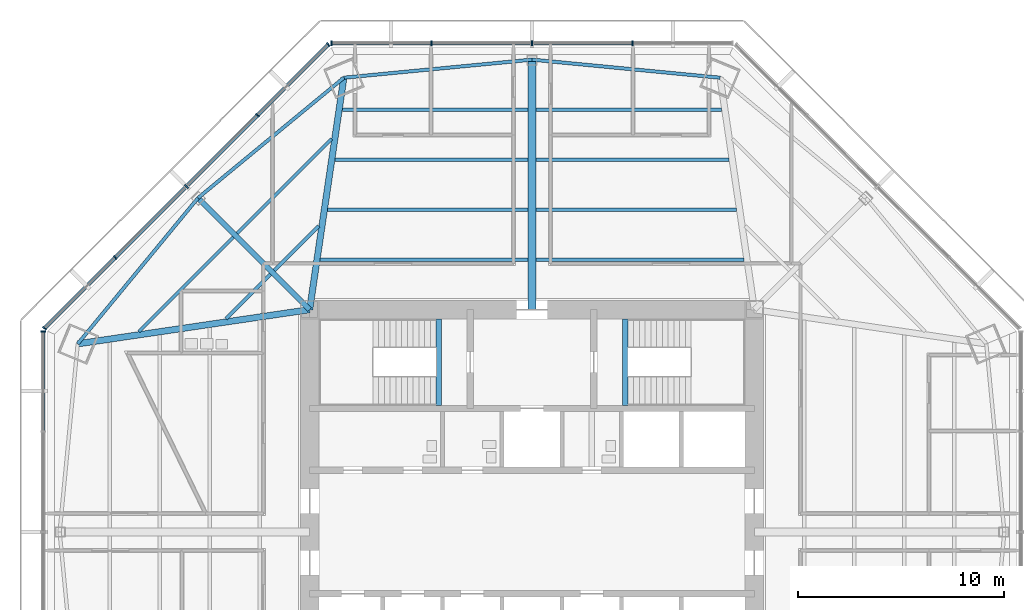
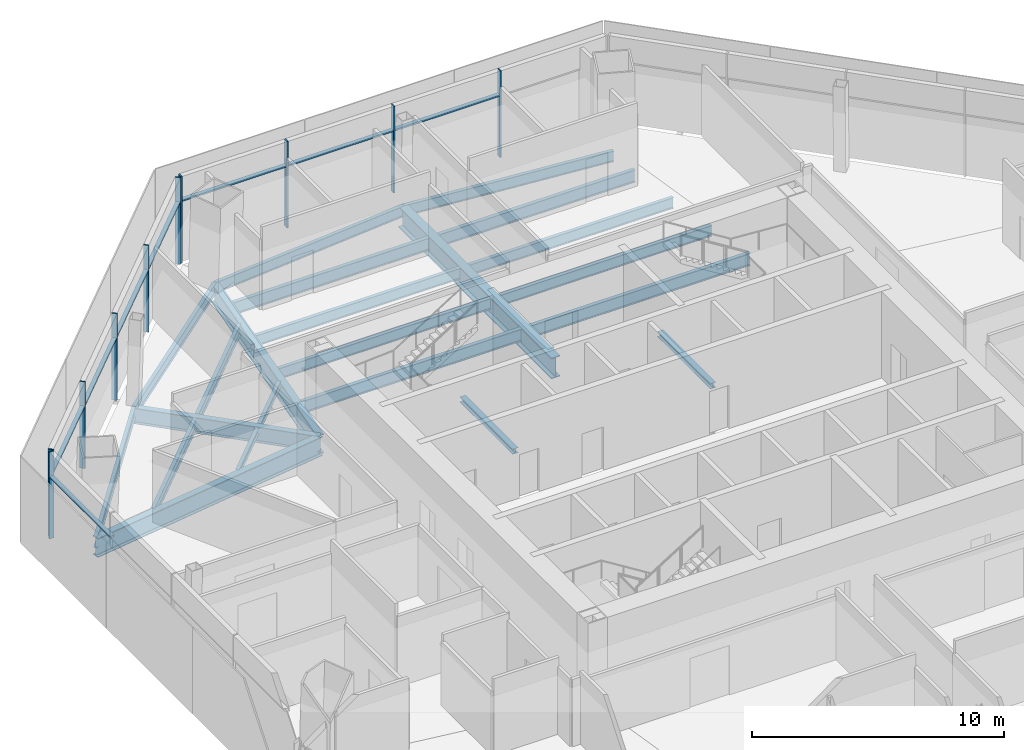
# One storey, part 5 of 15: 22 beams, 18 members, 3 elements without a shape of their own.
"""IFC4 building model written with IfcOpenShell, lengths in metres."""

from ifc_helpers import new_model, si_unit, direction, frame, origin, origin_2d, place, context, subcontext, project, spatial, rectangle, i_section, extrude, source, transform, mapped, material, material_profile, profile_set, type_object, type_shapes, element, aggregate, save


model = new_model("IFC4")

# Units and contexts
model_context = context("Model", 3, precision=1e-05, world=origin(), true_north=direction((0.0, 1.0)))
body_context = subcontext(model_context, "Body", "Model", "MODEL_VIEW")
ifc_project = project(units=[si_unit("LENGTHUNIT", "METRE"), si_unit("AREAUNIT", "SQUARE_METRE"), si_unit("VOLUMEUNIT", "CUBIC_METRE"), si_unit("PLANEANGLEUNIT", "RADIAN"), si_unit("MASSUNIT", "GRAM", prefix="KILO")], contexts=[model_context])

# Site, building, storey
site_placement = place(None, origin())
site = spatial("IfcSite", under=ifc_project, at=site_placement, CompositionType="ELEMENT")
building_placement = place(site_placement, origin())
building = spatial("IfcBuilding", under=site, at=building_placement, Name="Mashrafa Tower", CompositionType="ELEMENT")
storey_placement = place(building_placement, frame((0.0, 0.0, 151.199951171875)))
storey = spatial("IfcBuildingStorey", under=building, at=storey_placement, Name="L34", CompositionType="ELEMENT", Elevation=151.199951171875)

# Beams
ifc_material_1 = material(Name="Steel ASTM A992", Category="steel")
ifc_material_profile_1 = material_profile(ifc_material_1, i_section(OverallWidth=0.164794921875, OverallDepth=0.309814453125, WebThickness=0.005859375, FlangeThickness=0.009765625, FilletRadius=0.007568359375, at=origin_2d()), Name="W12X26")
ifc_profile_set_1 = profile_set([ifc_material_profile_1], Name="Steel ASTM A992")
beam_type_1 = type_object("IfcBeamType", Name="Beam W12X26", PredefinedType="BEAM", material=ifc_profile_set_1)
for number, where, z_axis, x_axis, name in (
    (1, (-14.85791015625, 10.35693359375, -0.31982421875), (0.707066746832, 0.707146813274, 0.0), (-0.707146813274, 0.707066746832, 0.0), "Floor beam L34 008"),
    (2, (-12.51318359375, 12.701904296875, -0.31982421875), (0.707146813274, 0.707066746832, 0.0), (-0.707066746832, 0.707146813274, 0.0), "Floor beam L34 014"),
):
    element("IfcBeam", number, at=place(storey_placement, frame(where, z_axis=z_axis, x_axis=x_axis)), inside=storey, type_object=beam_type_1, Name=name, PredefinedType="BEAM", context=body_context, shape_type="SweptSolid", body=[
        extrude(i_section(OverallWidth=0.164794921875, OverallDepth=0.309814453125, WebThickness=0.005859375, FlangeThickness=0.009765625, FilletRadius=0.007568359375, at=origin_2d()), origin(), (0.0, 0.0, 1.0), 3.04931640625),
    ])
ifc_material_2 = material(Name="Steel ASTM A992", Category="steel")
ifc_material_profile_2 = material_profile(ifc_material_2, i_section(OverallWidth=0.1650390625, OverallDepth=0.52587890625, WebThickness=0.0087890625, FlangeThickness=0.011474609375, FilletRadius=0.0126953125, at=origin_2d()), Name="W21X44")
ifc_profile_set_2 = profile_set([ifc_material_profile_2], Name="Steel ASTM A992")
beam_type_2 = type_object("IfcBeamType", Name="Beam W21X44", PredefinedType="BEAM", material=ifc_profile_set_2)
for number, where, z_axis, x_axis, name in (
    (3, (-19.09814453125, 9.731689453125, -0.427734375), (0.707087971403, 0.70712559047, 0.0), (-0.70712559047, 0.707087971403, 0.0), "Floor beam L34 003"),
    (4, (-14.32080078125, 14.50927734375, -0.427734375), (0.70712559047, 0.707087971403, 0.0), (-0.707087971403, 0.70712559047, 0.0), "Floor beam L34 010"),
):
    element("IfcBeam", number, at=place(storey_placement, frame(where, z_axis=z_axis, x_axis=x_axis)), inside=storey, type_object=beam_type_2, Name=name, PredefinedType="BEAM", context=body_context, shape_type="SweptSolid", body=[
        extrude(i_section(OverallWidth=0.1650390625, OverallDepth=0.52587890625, WebThickness=0.0087890625, FlangeThickness=0.011474609375, FilletRadius=0.0126953125, at=origin_2d()), origin(), (0.0, 0.0, 1.0), 6.48974609375),
    ])
beam_1_placement = place(storey_placement, frame((-9.9287109375, 15.656982421875, -0.427734375), z_axis=(1.0, 0.0, 0.0), x_axis=(0.0, 1.0, 0.0)))
element("IfcBeam", 5, at=beam_1_placement, inside=storey, type_object=beam_type_2, Name="Floor beam L34 017", PredefinedType="BEAM", context=body_context, shape_type="SweptSolid", body=[
    extrude(i_section(OverallWidth=0.1650390625, OverallDepth=0.52587890625, WebThickness=0.0087890625, FlangeThickness=0.011474609375, FilletRadius=0.0126953125, at=origin_2d()), origin(), (0.0, 0.0, 1.0), 9.72802734375),
])
beam_2_placement = place(storey_placement, frame((-9.570556640625, 18.085205078125, -0.427734375), z_axis=(1.0, 0.0, 0.0), x_axis=(0.0, 1.0, 0.0)))
element("IfcBeam", 6, at=beam_2_placement, inside=storey, type_object=beam_type_2, Name="Floor beam L34 018", PredefinedType="BEAM", context=body_context, shape_type="SweptSolid", body=[
    extrude(i_section(OverallWidth=0.1650390625, OverallDepth=0.52587890625, WebThickness=0.0087890625, FlangeThickness=0.011474609375, FilletRadius=0.0126953125, at=origin_2d()), origin(), (0.0, 0.0, 1.0), 9.369873046875),
])
beam_3_placement = place(storey_placement, frame((0.20068359375, 15.656982421875, -0.427734375), z_axis=(1.0, 0.0, 0.0), x_axis=(0.0, 1.0, 0.0)))
element("IfcBeam", 7, at=beam_3_placement, inside=storey, type_object=beam_type_2, Name="Floor beam L34 026", PredefinedType="BEAM", context=body_context, shape_type="SweptSolid", body=[
    extrude(i_section(OverallWidth=0.1650390625, OverallDepth=0.52587890625, WebThickness=0.0087890625, FlangeThickness=0.011474609375, FilletRadius=0.0126953125, at=origin_2d()), origin(), (0.0, 0.0, 1.0), 9.72802734375),
])
beam_4_placement = place(storey_placement, frame((0.20068359375, 18.085205078125, -0.427734375), z_axis=(1.0, 0.0, 0.0), x_axis=(0.0, 1.0, 0.0)))
element("IfcBeam", 8, at=beam_4_placement, inside=storey, type_object=beam_type_2, Name="Floor beam L34 027", PredefinedType="BEAM", context=body_context, shape_type="SweptSolid", body=[
    extrude(i_section(OverallWidth=0.1650390625, OverallDepth=0.52587890625, WebThickness=0.0087890625, FlangeThickness=0.011474609375, FilletRadius=0.0126953125, at=origin_2d()), origin(), (0.0, 0.0, 1.0), 9.369873046875),
])
for number, where, z_axis, x_axis, name in (
    (9, (-16.222412109375, 16.222412109375, -0.427734375), (-0.636244896427, -0.771487155934, 0.0), (0.771487155934, -0.636244896427, 0.0), "Spandrel beam L34 069"),
    (10, (-9.13916015625, 22.06396484375, -0.427734375), (-0.771487155934, -0.636244896427, 0.0), (0.636244896427, -0.771487155934, 0.0), "Spandrel beam L34 071"),
):
    element("IfcBeam", number, at=place(storey_placement, frame(where, z_axis=z_axis, x_axis=x_axis)), inside=storey, type_object=beam_type_2, Name=name, PredefinedType="BEAM", context=body_context, shape_type="SweptSolid", body=[
        extrude(i_section(OverallWidth=0.1650390625, OverallDepth=0.52587890625, WebThickness=0.0087890625, FlangeThickness=0.011474609375, FilletRadius=0.0126953125, at=origin_2d()), origin(), (0.0, 0.0, 1.0), 9.181396484375),
    ])
for number, where, z_axis, x_axis, name in (
    (11, (0.0, 22.942138671875, -0.427734375), (-0.995415165733, -0.09564856417, 0.0), (0.09564856417, -0.995415165733, 0.0), "Spandrel beam L34 073"),
    (12, (9.13916015625, 22.06396484375, -0.427734375), (-0.995415165733, 0.09564856417, 0.0), (-0.09564856417, -0.995415165733, 0.0), "Spandrel beam L34 075"),
):
    element("IfcBeam", number, at=place(storey_placement, frame(where, z_axis=z_axis, x_axis=x_axis)), inside=storey, type_object=beam_type_2, Name=name, PredefinedType="BEAM", context=body_context, shape_type="SweptSolid", body=[
        extrude(i_section(OverallWidth=0.1650390625, OverallDepth=0.52587890625, WebThickness=0.0087890625, FlangeThickness=0.011474609375, FilletRadius=0.0126953125, at=origin_2d()), origin(), (0.0, 0.0, 1.0), 9.18115234375),
    ])
ifc_material_3 = material(Name="Steel ASTM A992", Category="steel")
ifc_material_profile_3 = material_profile(ifc_material_3, i_section(OverallWidth=0.177978515625, OverallDepth=0.599365234375, WebThickness=0.010009765625, FlangeThickness=0.012939453125, FilletRadius=0.012939453125, at=origin_2d()), Name="W24X55")
ifc_profile_set_3 = profile_set([ifc_material_profile_3], Name="Steel ASTM A992")
beam_type_3 = type_object("IfcBeamType", Name="Beam W24X55", PredefinedType="BEAM", material=ifc_profile_set_3)
beam_5_placement = place(storey_placement, frame((-10.28662109375, 13.228515625, -0.464599609375), z_axis=(1.0, 0.0, 0.0), x_axis=(0.0, 1.0, 0.0)))
element("IfcBeam", 13, at=beam_5_placement, inside=storey, type_object=beam_type_3, Name="Floor beam L34 015", PredefinedType="BEAM", context=body_context, shape_type="SweptSolid", body=[
    extrude(i_section(OverallWidth=0.177978515625, OverallDepth=0.599365234375, WebThickness=0.010009765625, FlangeThickness=0.012939453125, FilletRadius=0.012939453125, at=origin_2d()), origin(), (0.0, 0.0, 1.0), 10.0859375),
])
beam_6_placement = place(storey_placement, frame((-9.21240234375, 20.513916015625, -0.464599609375), z_axis=(1.0, 0.0, 0.0), x_axis=(0.0, 1.0, 0.0)))
element("IfcBeam", 14, at=beam_6_placement, inside=storey, type_object=beam_type_3, Name="Floor beam L34 020", PredefinedType="BEAM", context=body_context, shape_type="SweptSolid", body=[
    extrude(i_section(OverallWidth=0.177978515625, OverallDepth=0.599365234375, WebThickness=0.010009765625, FlangeThickness=0.012939453125, FilletRadius=0.012939453125, at=origin_2d()), origin(), (0.0, 0.0, 1.0), 9.01171875),
])
beam_7_placement = place(storey_placement, frame((0.20068359375, 13.228515625, -0.464599609375), z_axis=(1.0, 0.0, 0.0), x_axis=(0.0, 1.0, 0.0)))
element("IfcBeam", 15, at=beam_7_placement, inside=storey, type_object=beam_type_3, Name="Floor beam L34 025", PredefinedType="BEAM", context=body_context, shape_type="SweptSolid", body=[
    extrude(i_section(OverallWidth=0.177978515625, OverallDepth=0.599365234375, WebThickness=0.010009765625, FlangeThickness=0.012939453125, FilletRadius=0.012939453125, at=origin_2d()), origin(), (0.0, 0.0, 1.0), 10.0859375),
])
beam_8_placement = place(storey_placement, frame((0.20068359375, 20.513916015625, -0.464599609375), z_axis=(1.0, 0.0, 0.0), x_axis=(0.0, 1.0, 0.0)))
element("IfcBeam", 16, at=beam_8_placement, inside=storey, type_object=beam_type_3, Name="Floor beam L34 028", PredefinedType="BEAM", context=body_context, shape_type="SweptSolid", body=[
    extrude(i_section(OverallWidth=0.177978515625, OverallDepth=0.599365234375, WebThickness=0.010009765625, FlangeThickness=0.012939453125, FilletRadius=0.012939453125, at=origin_2d()), origin(), (0.0, 0.0, 1.0), 9.01171875),
])
ifc_material_4 = material(Name="Steel ASTM A992", Category="steel")
ifc_material_profile_4 = material_profile(ifc_material_4, i_section(OverallWidth=0.2666015625, OverallDepth=0.761962890625, WebThickness=0.014404296875, FlangeThickness=0.021484375, FilletRadius=0.0166015625, at=origin_2d()), Name="W30X116")
ifc_profile_set_4 = profile_set([ifc_material_profile_4], Name="Steel ASTM A992")
beam_type_4 = type_object("IfcBeamType", Name="Beam W30X116", PredefinedType="BEAM", material=ifc_profile_set_4)
beam_9_placement = place(storey_placement, frame((-10.800048828125, 10.800048828125, -0.5458984375), z_axis=(-0.707106781187, 0.707106781187, 0.0), x_axis=(-0.707106781187, -0.707106781187, 0.0)))
element("IfcBeam", 17, at=beam_9_placement, inside=storey, type_object=beam_type_4, Name="Radial girder L34 054", PredefinedType="BEAM", context=body_context, shape_type="SweptSolid", body=[
    extrude(i_section(OverallWidth=0.2666015625, OverallDepth=0.761962890625, WebThickness=0.014404296875, FlangeThickness=0.021484375, FilletRadius=0.0166015625, at=origin_2d()), origin(), (0.0, 0.0, 1.0), 7.66845703125),
])
ifc_material_5 = material(Name="Steel ASTM A992", Category="steel")
ifc_material_profile_5 = material_profile(ifc_material_5, i_section(OverallWidth=0.307373046875, OverallDepth=0.927001953125, WebThickness=0.01953125, FlangeThickness=0.031982421875, FilletRadius=0.01904296875, at=origin_2d()), Name="W36X194")
ifc_profile_set_5 = profile_set([ifc_material_profile_5], Name="Steel ASTM A992")
beam_type_5 = type_object("IfcBeamType", Name="Beam W36X194", PredefinedType="BEAM", material=ifc_profile_set_5)
for number, where, z_axis, x_axis, name in (
    (18, (-10.800048828125, 10.800048828125, -0.62841796875), (-0.989303049508, -0.145874864985, 0.0), (0.145874864985, -0.989303049508, 0.0), "Radial girder L34 053"),
    (19, (-10.800048828125, 10.800048828125, -0.62841796875), (0.145874864985, 0.989303049508, 0.0), (-0.989303049508, 0.145874864985, 0.0), "Radial girder L34 055"),
):
    element("IfcBeam", number, at=place(storey_placement, frame(where, z_axis=z_axis, x_axis=x_axis)), inside=storey, type_object=beam_type_5, Name=name, PredefinedType="BEAM", context=body_context, shape_type="SweptSolid", body=[
        extrude(i_section(OverallWidth=0.307373046875, OverallDepth=0.927001953125, WebThickness=0.01953125, FlangeThickness=0.031982421875, FilletRadius=0.01904296875, at=origin_2d()), origin(), (0.0, 0.0, 1.0), 11.3857421875),
    ])
ifc_material_6 = material(Name="Steel ASTM A992", Category="steel")
ifc_material_profile_6 = material_profile(ifc_material_6, i_section(OverallWidth=0.4013671875, OverallDepth=1.010986328125, WebThickness=0.023681640625, FlangeThickness=0.0419921875, FilletRadius=0.02001953125, at=origin_2d()), Name="W40X297")
ifc_profile_set_6 = profile_set([ifc_material_profile_6], Name="Steel ASTM A992")
beam_type_6 = type_object("IfcBeamType", Name="Beam W40X297", PredefinedType="BEAM", material=ifc_profile_set_6)
beam_10_placement = place(storey_placement, frame((0.0, 10.800048828125, -0.67041015625), z_axis=(0.0, 1.0, 0.0), x_axis=(-1.0, 0.0, 0.0)))
element("IfcBeam", 20, at=beam_10_placement, inside=storey, type_object=beam_type_6, Name="Radial girder L34 057", PredefinedType="BEAM", context=body_context, shape_type="SweptSolid", body=[
    extrude(i_section(OverallWidth=0.4013671875, OverallDepth=1.010986328125, WebThickness=0.023681640625, FlangeThickness=0.0419921875, FilletRadius=0.02001953125, at=origin_2d()), origin(), (0.0, 0.0, 1.0), 12.14208984375),
])
ifc_material_7 = material(Name="Steel ASTM A992", Category="steel")
ifc_material_profile_7 = material_profile(ifc_material_7, i_section(OverallWidth=0.25390625, OverallDepth=0.25390625, WebThickness=0.008544921875, FlangeThickness=0.01416015625, FilletRadius=0.010009765625, at=origin_2d()), Name="W10X49")
ifc_profile_set_7 = profile_set([ifc_material_profile_7], Name="Steel ASTM A992")
beam_type_7 = type_object("IfcBeamType", Name="Hoistway beam W10X49", PredefinedType="BEAM", material=ifc_profile_set_7)
for number, where, z_axis, x_axis, name in (
    (21, (-4.530029296875, 6.14990234375, -0.326904296875), (0.0, 1.0, 0.0), (-1.0, 0.0, 0.0), "Stair S1 landing beam L34"),
    (22, (4.530029296875, 6.14990234375, -0.326904296875), (0.0, 1.0, 0.0), (-1.0, 0.0, 0.0), "Stair S2 landing beam L34"),
):
    element("IfcBeam", number, at=place(storey_placement, frame(where, z_axis=z_axis, x_axis=x_axis)), inside=storey, type_object=beam_type_7, Name=name, PredefinedType="BEAM", context=body_context, shape_type="SweptSolid", body=[
        extrude(i_section(OverallWidth=0.25390625, OverallDepth=0.25390625, WebThickness=0.008544921875, FlangeThickness=0.01416015625, FilletRadius=0.010009765625, at=origin_2d()), origin(), (0.0, 0.0, 1.0), 4.2001953125),
    ])

# Curtain wall, members
ifc_material_8 = material(Name="Unitised aluminium curtain wall", Category="aluminium")
curtain_wall_type = type_object("IfcCurtainWallType", Name="Office curtain wall, zone 2 CW-B 225 deep", PredefinedType="NOTDEFINED", material=ifc_material_8)
curtain_wall_1_placement = place(storey_placement, origin())
curtain_wall_1 = element("IfcCurtainWall", 23, at=curtain_wall_1_placement, inside=storey, type_object=curtain_wall_type, Name="Office curtain wall, zone 2 L34 north", PredefinedType="NOTDEFINED")
ifc_material_9 = material(Name="Extruded aluminium mullion", Category="aluminium")
ifc_material_profile_8 = material_profile(ifc_material_9, rectangle(XDim=0.22509765625, YDim=0.06494140625, at=origin_2d()), Name="Mullion 65x225")
ifc_profile_set_8 = profile_set([ifc_material_profile_8], Name="Extruded aluminium mullion")
member_type_1 = type_object("IfcMemberType", Name="Mullion CW-B 65 x 225", PredefinedType="MULLION", material=ifc_profile_set_8)
shared_shape_1 = source(origin(), body_context, "Body", "SweptSolid", [
    extrude(rectangle(XDim=0.22509765625, YDim=0.06494140625, at=origin_2d()), origin(), (0.0, 0.0, 1.0), 4.199951171875),
])
type_shapes(member_type_1, [shared_shape_1])
member_1_placement = place(storey_placement, frame((4.887939453125, 23.737548828125, 0.0), z_axis=(0.0, 0.0, 1.0), x_axis=(0.0, -1.0, 0.0)))
member_1 = element("IfcMember", 24, at=member_1_placement, type_object=member_type_1, Name="CW-B mullion 2", PredefinedType="MULLION", context=body_context, shape_type="MappedRepresentation", body=[
    mapped(shared_shape_1, transform((0.0, 0.0, 0.0))),
])
member_2_placement = place(storey_placement, frame((0.0, 23.737548828125, 0.0), z_axis=(0.0, 0.0, 1.0), x_axis=(0.0, -1.0, 0.0)))
member_2 = element("IfcMember", 25, at=member_2_placement, type_object=member_type_1, Name="CW-B mullion 3", PredefinedType="MULLION", context=body_context, shape_type="MappedRepresentation", body=[
    mapped(shared_shape_1, transform((0.0, 0.0, 0.0))),
])
member_3_placement = place(storey_placement, frame((-4.887939453125, 23.737548828125, 0.0), z_axis=(0.0, 0.0, 1.0), x_axis=(0.0, -1.0, 0.0)))
member_3 = element("IfcMember", 26, at=member_3_placement, type_object=member_type_1, Name="CW-B mullion 4", PredefinedType="MULLION", context=body_context, shape_type="MappedRepresentation", body=[
    mapped(shared_shape_1, transform((0.0, 0.0, 0.0))),
])
member_4_placement = place(storey_placement, frame((-9.743408203125, 23.737548828125, 0.0), z_axis=(0.0, 0.0, 1.0), x_axis=(0.0, -1.0, 0.0)))
member_4 = element("IfcMember", 27, at=member_4_placement, type_object=member_type_1, Name="CW-B mullion 5", PredefinedType="MULLION", context=body_context, shape_type="MappedRepresentation", body=[
    mapped(shared_shape_1, transform((0.0, 0.0, 0.0))),
])

curtain_wall_2_placement = place(storey_placement, origin())
curtain_wall_2 = element("IfcCurtainWall", 28, at=curtain_wall_2_placement, inside=storey, type_object=curtain_wall_type, Name="Office curtain wall, zone 2 L34 north-west", PredefinedType="NOTDEFINED")
member_5_placement = place(storey_placement, frame((-9.8955078125, 23.674560546875, 0.0), z_axis=(0.0, 0.0, 1.0), x_axis=(0.707106781187, -0.707106781187, 0.0)))
member_5 = element("IfcMember", 29, at=member_5_placement, type_object=member_type_1, Name="CW-B mullion 1", PredefinedType="MULLION", context=body_context, shape_type="MappedRepresentation", body=[
    mapped(shared_shape_1, transform((0.0, 0.0, 0.0))),
])
member_6_placement = place(storey_placement, frame((-13.32861328125, 20.2412109375, 0.0), z_axis=(0.0, 0.0, 1.0), x_axis=(0.707106781187, -0.707106781187, 0.0)))
member_6 = element("IfcMember", 30, at=member_6_placement, type_object=member_type_1, Name="CW-B mullion 2", PredefinedType="MULLION", context=body_context, shape_type="MappedRepresentation", body=[
    mapped(shared_shape_1, transform((0.0, 0.0, 0.0))),
])
member_7_placement = place(storey_placement, frame((-16.784912109375, 16.784912109375, 0.0), z_axis=(0.0, 0.0, 1.0), x_axis=(0.707106781187, -0.707106781187, 0.0)))
member_7 = element("IfcMember", 31, at=member_7_placement, type_object=member_type_1, Name="CW-B mullion 3", PredefinedType="MULLION", context=body_context, shape_type="MappedRepresentation", body=[
    mapped(shared_shape_1, transform((0.0, 0.0, 0.0))),
])
member_8_placement = place(storey_placement, frame((-20.2412109375, 13.32861328125, 0.0), z_axis=(0.0, 0.0, 1.0), x_axis=(0.707106781187, -0.707106781187, 0.0)))
member_8 = element("IfcMember", 32, at=member_8_placement, type_object=member_type_1, Name="CW-B mullion 4", PredefinedType="MULLION", context=body_context, shape_type="MappedRepresentation", body=[
    mapped(shared_shape_1, transform((0.0, 0.0, 0.0))),
])
member_9_placement = place(storey_placement, frame((-23.674560546875, 9.8955078125, 0.0), z_axis=(0.0, 0.0, 1.0), x_axis=(0.707106781187, -0.707106781187, 0.0)))
member_9 = element("IfcMember", 33, at=member_9_placement, type_object=member_type_1, Name="CW-B mullion 5", PredefinedType="MULLION", context=body_context, shape_type="MappedRepresentation", body=[
    mapped(shared_shape_1, transform((0.0, 0.0, 0.0))),
])

# Curtain wall, member
curtain_wall_3_placement = place(storey_placement, origin())
curtain_wall_3 = element("IfcCurtainWall", 34, at=curtain_wall_3_placement, inside=storey, type_object=curtain_wall_type, Name="Office curtain wall, zone 2 L34 west", PredefinedType="NOTDEFINED")
member_10_placement = place(storey_placement, frame((-23.737548828125, 9.743408203125, 0.0), z_axis=(0.0, 0.0, 1.0), x_axis=(1.0, 0.0, 0.0)))
member_10 = element("IfcMember", 35, at=member_10_placement, type_object=member_type_1, Name="CW-B mullion 1", PredefinedType="MULLION", context=body_context, shape_type="MappedRepresentation", body=[
    mapped(shared_shape_1, transform((0.0, 0.0, 0.0))),
])

# Member
ifc_material_10 = material(Name="Extruded aluminium transom", Category="aluminium")
ifc_material_profile_9 = material_profile(ifc_material_10, rectangle(XDim=0.179931640625, YDim=0.080078125, at=origin_2d()), Name="Transom 80x180")
ifc_profile_set_9 = profile_set([ifc_material_profile_9], Name="Extruded aluminium transom")
member_type_2 = type_object("IfcMemberType", Name="Transom CW-B 80 x 180", PredefinedType="MULLION", material=ifc_profile_set_9)
shared_shape_2 = source(origin(), body_context, "Body", "SweptSolid", [
    extrude(rectangle(XDim=0.179931640625, YDim=0.080078125, at=origin_2d()), origin(), (0.0, 0.0, 1.0), 4.790283203125),
])
member_11_placement = place(storey_placement, frame((-4.92041015625, 23.737548828125, 3.0), z_axis=(-1.0, 0.0, 0.0), x_axis=(0.0, -1.0, 0.0)))
member_11 = element("IfcMember", 36, at=member_11_placement, type_object=member_type_2, Name="CW-B transom 4", PredefinedType="MULLION", context=body_context, shape_type="MappedRepresentation", body=[
    mapped(shared_shape_2, transform((0.0, 0.0, 0.0))),
])

member_12_placement = place(storey_placement, frame((-23.737548828125, 9.710693359375, 3.0), z_axis=(0.0, -1.0, 0.0), x_axis=(1.0, 0.0, 0.0)))
member_12 = element("IfcMember", 37, at=member_12_placement, type_object=member_type_2, Name="CW-B transom 1", PredefinedType="MULLION", context=body_context, shape_type="MappedRepresentation", body=[
    mapped(shared_shape_2, transform((0.0, 0.0, 0.0))),
])

aggregate(curtain_wall_3, [member_10, member_12])

shared_shape_3 = source(origin(), body_context, "Body", "SweptSolid", [
    extrude(rectangle(XDim=0.179931640625, YDim=0.080078125, at=origin_2d()), origin(), (0.0, 0.0, 1.0), 4.822998046875),
])
member_13_placement = place(storey_placement, frame((4.85546875, 23.737548828125, 3.0), z_axis=(-1.0, 0.0, 0.0), x_axis=(0.0, -1.0, 0.0)))
member_13 = element("IfcMember", 38, at=member_13_placement, type_object=member_type_2, Name="CW-B transom 2", PredefinedType="MULLION", context=body_context, shape_type="MappedRepresentation", body=[
    mapped(shared_shape_3, transform((0.0, 0.0, 0.0))),
])

member_14_placement = place(storey_placement, frame((-0.032470703125, 23.737548828125, 3.0), z_axis=(-1.0, 0.0, 0.0), x_axis=(0.0, -1.0, 0.0)))
member_14 = element("IfcMember", 39, at=member_14_placement, type_object=member_type_2, Name="CW-B transom 3", PredefinedType="MULLION", context=body_context, shape_type="MappedRepresentation", body=[
    mapped(shared_shape_3, transform((0.0, 0.0, 0.0))),
])

aggregate(curtain_wall_1, [member_1, member_2, member_3, member_4, member_13, member_14, member_11])

member_15_placement = place(storey_placement, frame((-13.3515625, 20.21826171875, 3.0), z_axis=(-0.707106781187, -0.707106781187, 0.0), x_axis=(0.707106781187, -0.707106781187, 0.0)))
member_15 = element("IfcMember", 40, at=member_15_placement, type_object=member_type_2, Name="CW-B transom 2", PredefinedType="MULLION", context=body_context, shape_type="MappedRepresentation", body=[
    mapped(shared_shape_3, transform((0.0, 0.0, 0.0))),
])

member_16_placement = place(storey_placement, frame((-16.807861328125, 16.761962890625, 3.0), z_axis=(-0.707106781187, -0.707106781187, 0.0), x_axis=(0.707106781187, -0.707106781187, 0.0)))
member_16 = element("IfcMember", 41, at=member_16_placement, type_object=member_type_2, Name="CW-B transom 3", PredefinedType="MULLION", context=body_context, shape_type="MappedRepresentation", body=[
    mapped(shared_shape_3, transform((0.0, 0.0, 0.0))),
])

shared_shape_4 = source(origin(), body_context, "Body", "SweptSolid", [
    extrude(rectangle(XDim=0.179931640625, YDim=0.080078125, at=origin_2d()), origin(), (0.0, 0.0, 1.0), 4.79052734375),
])
type_shapes(member_type_2, [shared_shape_2, shared_shape_3, shared_shape_4])
member_17_placement = place(storey_placement, frame((-9.91845703125, 23.651611328125, 3.0), z_axis=(-0.707081298484, -0.707132262971, 0.0), x_axis=(0.707132262971, -0.707081298484, 0.0)))
member_17 = element("IfcMember", 42, at=member_17_placement, type_object=member_type_2, Name="CW-B transom 1", PredefinedType="MULLION", context=body_context, shape_type="MappedRepresentation", body=[
    mapped(shared_shape_4, transform((0.0, 0.0, 0.0))),
])

member_18_placement = place(storey_placement, frame((-20.26416015625, 13.3056640625, 3.0), z_axis=(-0.707132262971, -0.707081298484, 0.0), x_axis=(0.707081298484, -0.707132262971, 0.0)))
member_18 = element("IfcMember", 43, at=member_18_placement, type_object=member_type_2, Name="CW-B transom 4", PredefinedType="MULLION", context=body_context, shape_type="MappedRepresentation", body=[
    mapped(shared_shape_4, transform((0.0, 0.0, 0.0))),
])

aggregate(curtain_wall_2, [member_5, member_6, member_7, member_8, member_9, member_17, member_15, member_16, member_18])

save(model, "model.ifc")
